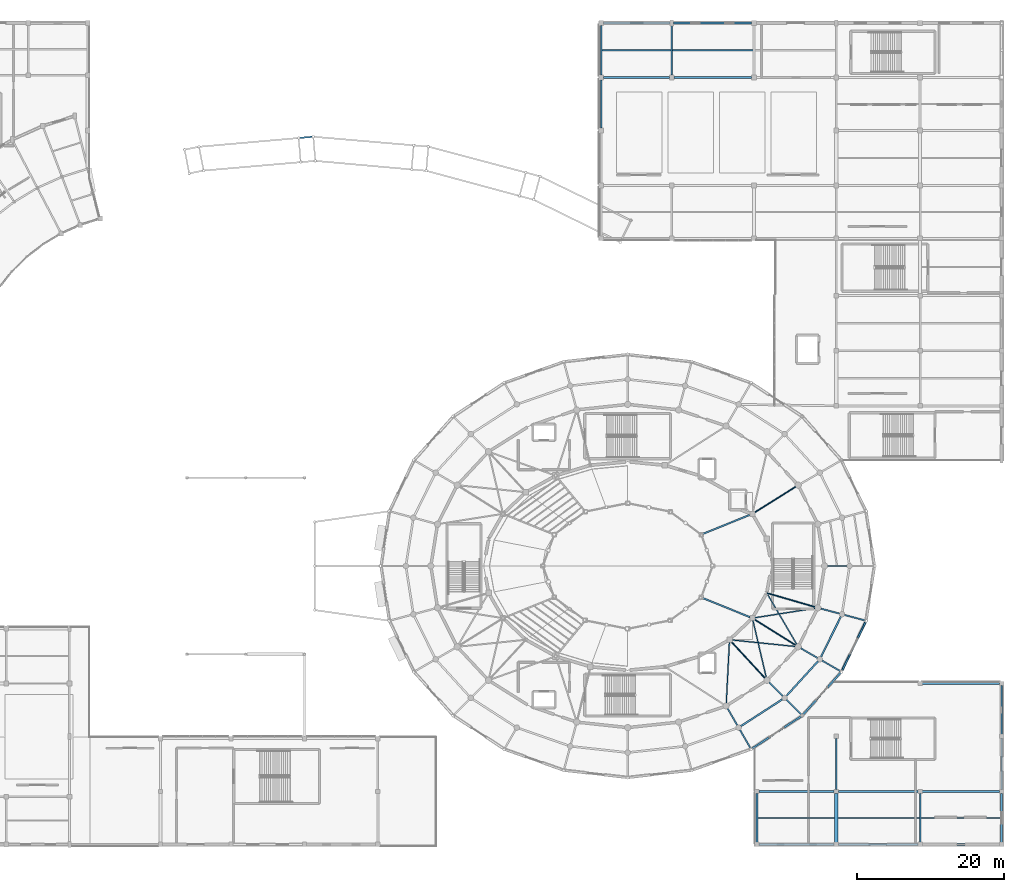
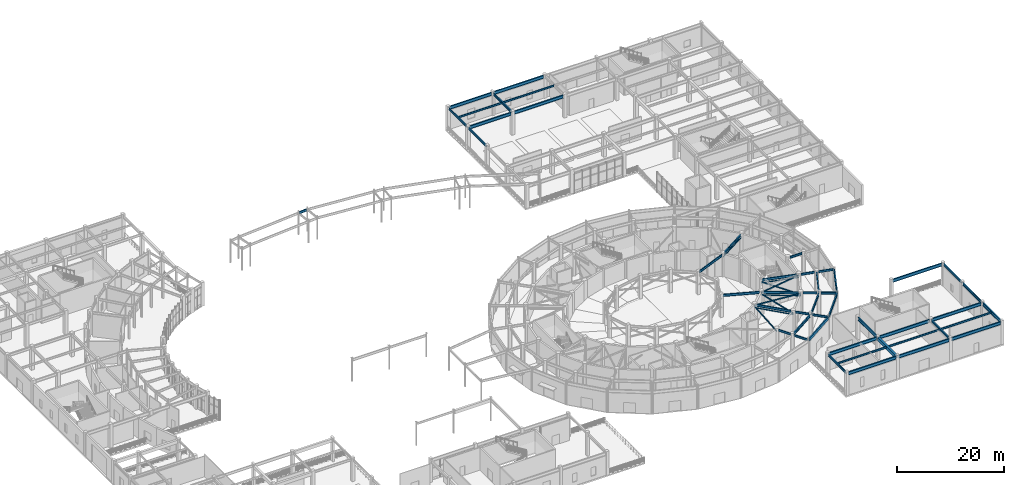
# One storey, part 34 of 93: 48 beams, 9 members.
"""IFC4 building model written with IfcOpenShell, lengths in metres."""

from ifc_helpers import new_model, si_unit, direction, frame, origin, origin_2d, place, context, subcontext, project, spatial, rectangle, hollow_rectangle, i_section, extrude, material, material_profile, profile_set, type_object, element, save


model = new_model("IFC4")

# Units and contexts
model_context = context("Model", 3, precision=1e-05, world=origin(), true_north=direction((0.0, 1.0)))
body_context = subcontext(model_context, "Body", "Model", "MODEL_VIEW")
ifc_project = project(units=[si_unit("LENGTHUNIT", "METRE"), si_unit("AREAUNIT", "SQUARE_METRE"), si_unit("VOLUMEUNIT", "CUBIC_METRE"), si_unit("PLANEANGLEUNIT", "RADIAN"), si_unit("MASSUNIT", "GRAM", prefix="KILO")], contexts=[model_context])

# Site, building, storey
site_placement = place(None, origin())
site = spatial("IfcSite", under=ifc_project, at=site_placement, CompositionType="ELEMENT")
building_placement = place(site_placement, origin())
building = spatial("IfcBuilding", under=site, at=building_placement, Name="Cinderbank Siding Concert Hall", CompositionType="ELEMENT")
storey_placement = place(building_placement, origin())
storey = spatial("IfcBuildingStorey", under=building, at=storey_placement, Name="L01", CompositionType="ELEMENT", Elevation=0.0)

# Beams
ifc_material_1 = material(Name="Reinforced concrete AS 3600 N50 (50 MPa)", Category="concrete")
ifc_material_profile_1 = material_profile(ifc_material_1, rectangle(XDim=0.449951171875, YDim=0.75, at=origin_2d()), Name="RC-BM-450x750", Category="LoadBearing")
ifc_profile_set_1 = profile_set([ifc_material_profile_1], Name="Reinforced concrete AS 3600 N50 (50 MPa)")
beam_type_1 = type_object("IfcBeamType", Name="BM-RC750 RC-BM-450x750", PredefinedType="BEAM", material=ifc_profile_set_1)
beam_1_placement = place(storey_placement, frame((150.39990234375, 6.39208984375, 4.76708984375), z_axis=(0.0, 1.0, 0.0), x_axis=(-1.0, 0.0, 0.0)))
element("IfcBeam", 1, at=beam_1_placement, inside=storey, type_object=beam_type_1, Name="L01 Beam BM-RC750 #1385", PredefinedType="BEAM", context=body_context, shape_type="SweptSolid", body=[
    extrude(rectangle(XDim=0.449951171875, YDim=0.75, at=origin_2d()), origin(), (0.0, 0.0, 1.0), 6.615966796875),
])
ifc_material_2 = material(Name="Structural steel AS/NZS 3679.1 Grade 350 (340 MPa)", Category="steel")
ifc_material_profile_2 = material_profile(ifc_material_2, i_section(OverallWidth=0.18994140625, OverallDepth=0.45751953125, WebThickness=0.009033203125, FlangeThickness=0.014404296875, at=origin_2d()), Name="460UB74.6", Category="LoadBearing")
ifc_profile_set_2 = profile_set([ifc_material_profile_2], Name="Structural steel AS/NZS 3679.1 Grade 350 (340 MPa)")
beam_type_2 = type_object("IfcBeamType", Name="BM-UB460 460UB74.6", PredefinedType="BEAM", material=ifc_profile_set_2)
beam_2_placement = place(storey_placement, frame((118.39990234375, 110.81689453125, 4.893310546875), z_axis=(0.0, 1.0, 0.0), x_axis=(-1.0, 0.0, 0.0)))
element("IfcBeam", 2, at=beam_2_placement, inside=storey, type_object=beam_type_2, Name="L01 Beam BM-UB460 #1320", PredefinedType="BEAM", context=body_context, shape_type="SweptSolid", body=[
    extrude(i_section(OverallWidth=0.18994140625, OverallDepth=0.45751953125, WebThickness=0.009033203125, FlangeThickness=0.014404296875, at=origin_2d()), origin(), (0.0, 0.0, 1.0), 6.76611328125),
])
ifc_material_profile_3 = material_profile(ifc_material_2, i_section(OverallWidth=0.19091796875, OverallDepth=0.46044921875, WebThickness=0.010009765625, FlangeThickness=0.01611328125, at=origin_2d()), Name="460UB82.1", Category="LoadBearing")
ifc_profile_set_3 = profile_set([ifc_material_profile_3], Name="Structural steel AS/NZS 3679.1 Grade 350 (340 MPa)")
beam_type_3 = type_object("IfcBeamType", Name="BM-UB460H 460UB82.1", PredefinedType="BEAM", material=ifc_profile_set_3)
for number, where, z_axis, x_axis, name in (
    (3, (149.217041015625, 44.0, 4.891845703125), (1.0, 0.0, 0.0), (0.0, 1.0, 0.0), "L01 Beam BM-UB460H #392"),
    (4, (135.6083984375, 24.586181640625, 4.891845703125), (0.500053675867, -0.86599441179, 0.0), (0.86599441179, 0.500053675867, 0.0), "L01 Beam BM-UB460H #411"),
    (5, (141.245361328125, 28.148681640625, 4.891845703125), (0.707153444121, -0.707060115172, 0.0), (0.707060115172, 0.707153444121, 0.0), "L01 Beam BM-UB460H #412"),
):
    element("IfcBeam", number, at=place(storey_placement, frame(where, z_axis=z_axis, x_axis=x_axis)), inside=storey, type_object=beam_type_3, Name=name, PredefinedType="BEAM", context=body_context, shape_type="SweptSolid", body=[
        extrude(i_section(OverallWidth=0.19091796875, OverallDepth=0.46044921875, WebThickness=0.010009765625, FlangeThickness=0.01611328125, at=origin_2d()), origin(), (0.0, 0.0, 1.0), 2.615966796875),
    ])
beam_3_placement = place(storey_placement, frame((145.570556640625, 32.79150390625, 4.891845703125), z_axis=(0.866017746076, -0.500013263306, 0.0), x_axis=(0.500013263306, 0.866017746076, 0.0)))
element("IfcBeam", 6, at=beam_3_placement, inside=storey, type_object=beam_type_3, Name="L01 Beam BM-UB460H #413", PredefinedType="BEAM", context=body_context, shape_type="SweptSolid", body=[
    extrude(i_section(OverallWidth=0.19091796875, OverallDepth=0.46044921875, WebThickness=0.010009765625, FlangeThickness=0.01611328125, at=origin_2d()), origin(), (0.0, 0.0, 1.0), 2.6162109375),
])
beam_4_placement = place(storey_placement, frame((148.28955078125, 38.197998046875, 4.891845703125), z_axis=(0.965932222184, -0.258795174118, 0.0), x_axis=(0.258795174118, 0.965932222184, 0.0)))
element("IfcBeam", 7, at=beam_4_placement, inside=storey, type_object=beam_type_3, Name="L01 Beam BM-UB460H #414", PredefinedType="BEAM", context=body_context, shape_type="SweptSolid", body=[
    extrude(i_section(OverallWidth=0.19091796875, OverallDepth=0.46044921875, WebThickness=0.010009765625, FlangeThickness=0.01611328125, at=origin_2d()), origin(), (0.0, 0.0, 1.0), 2.615966796875),
])
beam_5_placement = place(storey_placement, frame((137.283447265625, 21.685302734375, 4.871826171875), z_axis=(0.499988053408, -0.866032301043, 0.0), x_axis=(0.866032301043, 0.499988053408, 0.0)))
element("IfcBeam", 8, at=beam_5_placement, inside=storey, type_object=beam_type_3, Name="L01 Beam BM-UB460H #436", PredefinedType="BEAM", context=body_context, shape_type="SweptSolid", body=[
    extrude(i_section(OverallWidth=0.19091796875, OverallDepth=0.46044921875, WebThickness=0.010009765625, FlangeThickness=0.01611328125, at=origin_2d()), origin(), (0.0, 0.0, 1.0), 2.837890625),
])
beam_6_placement = place(storey_placement, frame((143.614013671875, 25.780029296875, 4.871826171875), z_axis=(0.707106781187, -0.707106781187, 0.0), x_axis=(0.707106781187, 0.707106781187, 0.0)))
element("IfcBeam", 9, at=beam_6_placement, inside=storey, type_object=beam_type_3, Name="L01 Beam BM-UB460H #437", PredefinedType="BEAM", context=body_context, shape_type="SweptSolid", body=[
    extrude(i_section(OverallWidth=0.19091796875, OverallDepth=0.46044921875, WebThickness=0.010009765625, FlangeThickness=0.01611328125, at=origin_2d()), origin(), (0.0, 0.0, 1.0), 2.838134765625),
])
for number, where, z_axis, x_axis, name in (
    (10, (148.4716796875, 31.116455078125, 4.871826171875), (0.866032301043, -0.499988053408, 0.0), (0.499988053408, 0.866032301043, 0.0), "L01 Beam BM-UB460H #438"),
    (11, (151.525390625, 37.3310546875, 4.871826171875), (0.965915793318, -0.258856485758, 0.0), (0.258856485758, 0.965915793318, 0.0), "L01 Beam BM-UB460H #439"),
):
    element("IfcBeam", number, at=place(storey_placement, frame(where, z_axis=z_axis, x_axis=x_axis)), inside=storey, type_object=beam_type_3, Name=name, PredefinedType="BEAM", context=body_context, shape_type="SweptSolid", body=[
        extrude(i_section(OverallWidth=0.19091796875, OverallDepth=0.46044921875, WebThickness=0.010009765625, FlangeThickness=0.01611328125, at=origin_2d()), origin(), (0.0, 0.0, 1.0), 2.837890625),
    ])
ifc_material_profile_4 = material_profile(ifc_material_2, i_section(OverallWidth=0.208984375, OverallDepth=0.5283203125, WebThickness=0.009521484375, FlangeThickness=0.01318359375, at=origin_2d()), Name="530UB82.0", Category="LoadBearing")
ifc_profile_set_4 = profile_set([ifc_material_profile_4], Name="Structural steel AS/NZS 3679.1 Grade 350 (340 MPa)")
beam_type_4 = type_object("IfcBeamType", Name="BM-UB530 530UB82.0", PredefinedType="BEAM", material=ifc_profile_set_4)
beam_7_placement = place(storey_placement, frame((77.3544921875, 102.2744140625, 4.8359375), z_axis=(0.996159508909, 0.087557026051, 0.0), x_axis=(-0.087557026051, 0.996159508909, 0.0)))
element("IfcBeam", 12, at=beam_7_placement, inside=storey, type_object=beam_type_4, Name="L01 Beam BM-UB530 #69", PredefinedType="BEAM", context=body_context, shape_type="SweptSolid", body=[
    extrude(i_section(OverallWidth=0.208984375, OverallDepth=0.5283203125, WebThickness=0.009521484375, FlangeThickness=0.01318359375, at=origin_2d()), origin(), (0.0, 0.0, 1.0), 1.692626953125),
])
for number, where, z_axis, x_axis, name in (
    (13, (132.273193359375, 48.384765625, 4.85791015625), (0.926795292683, 0.37556688547, 0.0), (-0.37556688547, 0.926795292683, 0.0), "L01 Beam BM-UB530 #150"),
    (14, (132.273193359375, 39.615234375, 4.85791015625), (0.926795292683, -0.37556688547, 0.0), (0.37556688547, 0.926795292683, 0.0), "L01 Beam BM-UB530 #161"),
):
    element("IfcBeam", number, at=place(storey_placement, frame(where, z_axis=z_axis, x_axis=x_axis)), inside=storey, type_object=beam_type_4, Name=name, PredefinedType="BEAM", context=body_context, shape_type="SweptSolid", body=[
        extrude(i_section(OverallWidth=0.208984375, OverallDepth=0.5283203125, WebThickness=0.009521484375, FlangeThickness=0.01318359375, at=origin_2d()), origin(), (0.0, 0.0, 1.0), 6.887939453125),
    ])
beam_8_placement = place(storey_placement, frame((118.39990234375, 103.616943359375, 4.85791015625), z_axis=(0.0, 1.0, 0.0), x_axis=(-1.0, 0.0, 0.0)))
element("IfcBeam", 15, at=beam_8_placement, inside=storey, type_object=beam_type_4, Name="L01 Beam BM-UB530 #1318", PredefinedType="BEAM", context=body_context, shape_type="SweptSolid", body=[
    extrude(i_section(OverallWidth=0.208984375, OverallDepth=0.5283203125, WebThickness=0.009521484375, FlangeThickness=0.01318359375, at=origin_2d()), origin(), (0.0, 0.0, 1.0), 6.566162109375),
])
beam_9_placement = place(storey_placement, frame((128.0, 110.81689453125, 4.85791015625), z_axis=(0.0, 1.0, 0.0), x_axis=(-1.0, 0.0, 0.0)))
element("IfcBeam", 16, at=beam_9_placement, inside=storey, type_object=beam_type_4, Name="L01 Beam BM-UB530 #1326", PredefinedType="BEAM", context=body_context, shape_type="SweptSolid", body=[
    extrude(i_section(OverallWidth=0.208984375, OverallDepth=0.5283203125, WebThickness=0.009521484375, FlangeThickness=0.01318359375, at=origin_2d()), origin(), (0.0, 0.0, 1.0), 6.8662109375),
])
for number, where, z_axis, x_axis, name in (
    (17, (139.60009765625, 6.39208984375, 4.8779296875), (0.0, 1.0, 0.0), (-1.0, 0.0, 0.0), "L01 Beam BM-UB530 #1382"),
    (18, (161.800048828125, 6.39208984375, 4.8779296875), (0.0, 1.0, 0.0), (-1.0, 0.0, 0.0), "L01 Beam BM-UB530 #1389"),
    (19, (172.89990234375, 21.092041015625, 4.8779296875), (0.0, 1.0, 0.0), (-1.0, 0.0, 0.0), "L01 Beam BM-UB530 #1394"),
):
    element("IfcBeam", number, at=place(storey_placement, frame(where, z_axis=z_axis, x_axis=x_axis)), inside=storey, type_object=beam_type_4, Name=name, PredefinedType="BEAM", context=body_context, shape_type="SweptSolid", body=[
        extrude(i_section(OverallWidth=0.208984375, OverallDepth=0.5283203125, WebThickness=0.009521484375, FlangeThickness=0.01318359375, at=origin_2d()), origin(), (0.0, 0.0, 1.0), 6.615966796875),
    ])
ifc_material_profile_5 = material_profile(ifc_material_2, i_section(OverallWidth=0.208984375, OverallDepth=0.532958984375, WebThickness=0.01025390625, FlangeThickness=0.015625, at=origin_2d()), Name="530UB92.4", Category="LoadBearing")
ifc_profile_set_5 = profile_set([ifc_material_profile_5], Name="Structural steel AS/NZS 3679.1 Grade 350 (340 MPa)")
beam_type_5 = type_object("IfcBeamType", Name="BM-UB530H 530UB92.4", PredefinedType="BEAM", material=ifc_profile_set_5)
beam_10_placement = place(storey_placement, frame((139.26416015625, 51.281494140625, 4.87548828125), z_axis=(0.847831894761, 0.530265101836, 0.0), x_axis=(-0.530265101836, 0.847831894761, 0.0)))
element("IfcBeam", 20, at=beam_10_placement, inside=storey, type_object=beam_type_5, Name="L01 Beam BM-UB530H #381", PredefinedType="BEAM", context=body_context, shape_type="SweptSolid", body=[
    extrude(i_section(OverallWidth=0.208984375, OverallDepth=0.532958984375, WebThickness=0.01025390625, FlangeThickness=0.015625, at=origin_2d()), origin(), (0.0, 0.0, 1.0), 6.595458984375),
])
beam_11_placement = place(storey_placement, frame((136.108154296875, 33.689453125, 4.87548828125), z_axis=(0.678286136471, -0.734797874977, 0.0), x_axis=(0.734797874977, 0.678286136471, 0.0)))
element("IfcBeam", 21, at=beam_11_placement, inside=storey, type_object=beam_type_5, Name="L01 Beam BM-UB530H #389", PredefinedType="BEAM", context=body_context, shape_type="SweptSolid", body=[
    extrude(i_section(OverallWidth=0.208984375, OverallDepth=0.532958984375, WebThickness=0.01025390625, FlangeThickness=0.015625, at=origin_2d()), origin(), (0.0, 0.0, 1.0), 6.72216796875),
])
beam_12_placement = place(storey_placement, frame((139.26416015625, 36.718505859375, 4.87548828125), z_axis=(0.847831894761, -0.530265101836, 0.0), x_axis=(0.530265101836, 0.847831894761, 0.0)))
element("IfcBeam", 22, at=beam_12_placement, inside=storey, type_object=beam_type_5, Name="L01 Beam BM-UB530H #390", PredefinedType="BEAM", context=body_context, shape_type="SweptSolid", body=[
    extrude(i_section(OverallWidth=0.208984375, OverallDepth=0.532958984375, WebThickness=0.01025390625, FlangeThickness=0.015625, at=origin_2d()), origin(), (0.0, 0.0, 1.0), 6.595458984375),
])
beam_13_placement = place(storey_placement, frame((141.116455078125, 40.271240234375, 4.87548828125), z_axis=(0.96035417432, -0.278782818455, 0.0), x_axis=(0.278782818455, 0.96035417432, 0.0)))
element("IfcBeam", 23, at=beam_13_placement, inside=storey, type_object=beam_type_5, Name="L01 Beam BM-UB530H #391", PredefinedType="BEAM", context=body_context, shape_type="SweptSolid", body=[
    extrude(i_section(OverallWidth=0.208984375, OverallDepth=0.532958984375, WebThickness=0.01025390625, FlangeThickness=0.015625, at=origin_2d()), origin(), (0.0, 0.0, 1.0), 6.6328125),
])
ifc_material_profile_6 = material_profile(ifc_material_2, i_section(OverallWidth=0.22802734375, OverallDepth=0.602294921875, WebThickness=0.010498046875, FlangeThickness=0.014892578125, at=origin_2d()), Name="610UB101", Category="LoadBearing")
ifc_profile_set_6 = profile_set([ifc_material_profile_6], Name="Structural steel AS/NZS 3679.1 Grade 350 (340 MPa)")
beam_type_6 = type_object("IfcBeamType", Name="BM-UB610 610UB101", PredefinedType="BEAM", material=ifc_profile_set_6)
beam_14_placement = place(storey_placement, frame((172.89990234375, 13.592041015625, 4.8408203125), z_axis=(0.0, 1.0, 0.0), x_axis=(-1.0, 0.0, 0.0)))
element("IfcBeam", 24, at=beam_14_placement, inside=storey, type_object=beam_type_6, Name="L01 Beam BM-UB610 #1393", PredefinedType="BEAM", context=body_context, shape_type="SweptSolid", body=[
    extrude(i_section(OverallWidth=0.22802734375, OverallDepth=0.602294921875, WebThickness=0.010498046875, FlangeThickness=0.014892578125, at=origin_2d()), origin(), (0.0, 0.0, 1.0), 6.916015625),
])
ifc_material_profile_7 = material_profile(ifc_material_2, i_section(OverallWidth=0.22802734375, OverallDepth=0.60693359375, WebThickness=0.01123046875, FlangeThickness=0.017333984375, at=origin_2d()), Name="610UB113", Category="LoadBearing")
ifc_profile_set_7 = profile_set([ifc_material_profile_7], Name="Structural steel AS/NZS 3679.1 Grade 350 (340 MPa)")
beam_type_7 = type_object("IfcBeamType", Name="BM-UB610M 610UB113", PredefinedType="BEAM", material=ifc_profile_set_7)
beam_15_placement = place(storey_placement, frame((137.408447265625, 22.201904296875, 4.798583984375), z_axis=(0.840198253685, 0.542279350984, 0.0), x_axis=(-0.542279350984, 0.840198253685, 0.0)))
element("IfcBeam", 25, at=beam_15_placement, inside=storey, type_object=beam_type_7, Name="L01 Beam BM-UB610M #353", PredefinedType="BEAM", context=body_context, shape_type="SweptSolid", body=[
    extrude(i_section(OverallWidth=0.22802734375, OverallDepth=0.60693359375, WebThickness=0.01123046875, FlangeThickness=0.017333984375, at=origin_2d()), origin(), (0.0, 0.0, 1.0), 6.7099609375),
])
beam_16_placement = place(storey_placement, frame((143.60205078125, 26.310546875, 4.798583984375), z_axis=(0.673967477755, 0.738761016113, 0.0), x_axis=(-0.738761016113, 0.673967477755, 0.0)))
element("IfcBeam", 26, at=beam_16_placement, inside=storey, type_object=beam_type_7, Name="L01 Beam BM-UB610M #354", PredefinedType="BEAM", context=body_context, shape_type="SweptSolid", body=[
    extrude(i_section(OverallWidth=0.22802734375, OverallDepth=0.60693359375, WebThickness=0.01123046875, FlangeThickness=0.017333984375, at=origin_2d()), origin(), (0.0, 0.0, 1.0), 6.38671875),
])
beam_17_placement = place(storey_placement, frame((148.316162109375, 31.629150390625, 4.798583984375), z_axis=(0.441805555106, 0.89711083567, 0.0), x_axis=(-0.89711083567, 0.441805555106, 0.0)))
element("IfcBeam", 27, at=beam_17_placement, inside=storey, type_object=beam_type_7, Name="L01 Beam BM-UB610M #355", PredefinedType="BEAM", context=body_context, shape_type="SweptSolid", body=[
    extrude(i_section(OverallWidth=0.22802734375, OverallDepth=0.60693359375, WebThickness=0.01123046875, FlangeThickness=0.017333984375, at=origin_2d()), origin(), (0.0, 0.0, 1.0), 6.094482421875),
])
ifc_material_3 = material(Name="Structural steel welded plate section AS/NZS 3679.2 / AS/NZS 3678 Grade 350 (340 MPa)", Category="steel")
ifc_material_profile_8 = material_profile(ifc_material_3, i_section(OverallWidth=0.25, OverallDepth=0.699951171875, WebThickness=0.010009765625, FlangeThickness=0.01611328125, at=origin_2d()), Name="700WB130", Category="LoadBearing")
ifc_profile_set_8 = profile_set([ifc_material_profile_8], Name="Structural steel welded plate section AS/NZS 3679.2 / AS/NZS 3678 Grade 350 (340 MPa)")
beam_type_8 = type_object("IfcBeamType", Name="BM-WB700 700WB130", PredefinedType="BEAM", material=ifc_profile_set_8)
beam_18_placement = place(storey_placement, frame((118.717041015625, 110.5, 4.77197265625), z_axis=(1.0, 0.0, 0.0), x_axis=(0.0, 1.0, 0.0)))
element("IfcBeam", 28, at=beam_18_placement, inside=storey, type_object=beam_type_8, Name="L01 Beam BM-WB700 #1319", PredefinedType="BEAM", context=body_context, shape_type="SweptSolid", body=[
    extrude(i_section(OverallWidth=0.25, OverallDepth=0.699951171875, WebThickness=0.010009765625, FlangeThickness=0.01611328125, at=origin_2d()), origin(), (0.0, 0.0, 1.0), 8.966064453125),
])
beam_19_placement = place(storey_placement, frame((118.717041015625, 117.89990234375, 4.77197265625), z_axis=(1.0, 0.0, 0.0), x_axis=(0.0, 1.0, 0.0)))
element("IfcBeam", 29, at=beam_19_placement, inside=storey, type_object=beam_type_8, Name="L01 Beam BM-WB700 #1321", PredefinedType="BEAM", context=body_context, shape_type="SweptSolid", body=[
    extrude(i_section(OverallWidth=0.25, OverallDepth=0.699951171875, WebThickness=0.010009765625, FlangeThickness=0.01611328125, at=origin_2d()), origin(), (0.0, 0.0, 1.0), 9.06591796875),
])
beam_20_placement = place(storey_placement, frame((128.31689453125, 110.5, 4.77197265625), z_axis=(1.0, 0.0, 0.0), x_axis=(0.0, 1.0, 0.0)))
element("IfcBeam", 30, at=beam_20_placement, inside=storey, type_object=beam_type_8, Name="L01 Beam BM-WB700 #1325", PredefinedType="BEAM", context=body_context, shape_type="SweptSolid", body=[
    extrude(i_section(OverallWidth=0.25, OverallDepth=0.699951171875, WebThickness=0.010009765625, FlangeThickness=0.01611328125, at=origin_2d()), origin(), (0.0, 0.0, 1.0), 10.566162109375),
])
beam_21_placement = place(storey_placement, frame((128.217041015625, 117.89990234375, 4.77197265625), z_axis=(1.0, 0.0, 0.0), x_axis=(0.0, 1.0, 0.0)))
element("IfcBeam", 31, at=beam_21_placement, inside=storey, type_object=beam_type_8, Name="L01 Beam BM-WB700 #1327", PredefinedType="BEAM", context=body_context, shape_type="SweptSolid", body=[
    extrude(i_section(OverallWidth=0.25, OverallDepth=0.699951171875, WebThickness=0.010009765625, FlangeThickness=0.01611328125, at=origin_2d()), origin(), (0.0, 0.0, 1.0), 10.666015625),
])
for number, where, z_axis, x_axis, name in (
    (32, (139.89208984375, 6.10009765625, 4.7919921875), (1.0, 0.0, 0.0), (0.0, 1.0, 0.0), "L01 Beam BM-WB700 #1381"),
    (33, (139.89208984375, 13.300048828125, 4.7919921875), (1.0, 0.0, 0.0), (0.0, 1.0, 0.0), "L01 Beam BM-WB700 #1383"),
):
    element("IfcBeam", number, at=place(storey_placement, frame(where, z_axis=z_axis, x_axis=x_axis)), inside=storey, type_object=beam_type_8, Name=name, PredefinedType="BEAM", context=body_context, shape_type="SweptSolid", body=[
        extrude(i_section(OverallWidth=0.25, OverallDepth=0.699951171875, WebThickness=0.010009765625, FlangeThickness=0.01611328125, at=origin_2d()), origin(), (0.0, 0.0, 1.0), 10.2158203125),
    ])
for number, where, z_axis, x_axis, name in (
    (34, (150.69189453125, 6.10009765625, 4.7919921875), (1.0, 0.0, 0.0), (0.0, 1.0, 0.0), "L01 Beam BM-WB700 #1384"),
    (35, (150.69189453125, 13.300048828125, 4.7919921875), (1.0, 0.0, 0.0), (0.0, 1.0, 0.0), "L01 Beam BM-WB700 #1386"),
):
    element("IfcBeam", number, at=place(storey_placement, frame(where, z_axis=z_axis, x_axis=x_axis)), inside=storey, type_object=beam_type_8, Name=name, PredefinedType="BEAM", context=body_context, shape_type="SweptSolid", body=[
        extrude(i_section(OverallWidth=0.25, OverallDepth=0.699951171875, WebThickness=0.010009765625, FlangeThickness=0.01611328125, at=origin_2d()), origin(), (0.0, 0.0, 1.0), 10.816162109375),
    ])
beam_22_placement = place(storey_placement, frame((150.39990234375, 13.592041015625, 4.7919921875), z_axis=(0.0, 1.0, 0.0), x_axis=(-1.0, 0.0, 0.0)))
element("IfcBeam", 36, at=beam_22_placement, inside=storey, type_object=beam_type_8, Name="L01 Beam BM-WB700 #1387", PredefinedType="BEAM", context=body_context, shape_type="SweptSolid", body=[
    extrude(i_section(OverallWidth=0.25, OverallDepth=0.699951171875, WebThickness=0.010009765625, FlangeThickness=0.01611328125, at=origin_2d()), origin(), (0.0, 0.0, 1.0), 6.916015625),
])
for number, where, z_axis, x_axis, name in (
    (37, (162.092041015625, 6.10009765625, 4.7919921875), (1.0, 0.0, 0.0), (0.0, 1.0, 0.0), "L01 Beam BM-WB700 #1388"),
    (38, (162.092041015625, 13.300048828125, 4.7919921875), (1.0, 0.0, 0.0), (0.0, 1.0, 0.0), "L01 Beam BM-WB700 #1390"),
    (39, (162.092041015625, 28.0, 4.7919921875), (1.0, 0.0, 0.0), (0.0, 1.0, 0.0), "L01 Beam BM-WB700 #1391"),
):
    element("IfcBeam", number, at=place(storey_placement, frame(where, z_axis=z_axis, x_axis=x_axis)), inside=storey, type_object=beam_type_8, Name=name, PredefinedType="BEAM", context=body_context, shape_type="SweptSolid", body=[
        extrude(i_section(OverallWidth=0.25, OverallDepth=0.699951171875, WebThickness=0.010009765625, FlangeThickness=0.01611328125, at=origin_2d()), origin(), (0.0, 0.0, 1.0), 10.515869140625),
    ])
beam_23_placement = place(storey_placement, frame((172.89990234375, 6.39208984375, 4.7919921875), z_axis=(0.0, 1.0, 0.0), x_axis=(-1.0, 0.0, 0.0)))
element("IfcBeam", 40, at=beam_23_placement, inside=storey, type_object=beam_type_8, Name="L01 Beam BM-WB700 #1392", PredefinedType="BEAM", context=body_context, shape_type="SweptSolid", body=[
    extrude(i_section(OverallWidth=0.25, OverallDepth=0.699951171875, WebThickness=0.010009765625, FlangeThickness=0.01611328125, at=origin_2d()), origin(), (0.0, 0.0, 1.0), 6.615966796875),
])
ifc_material_profile_9 = material_profile(ifc_material_2, i_section(OverallWidth=0.177978515625, OverallDepth=0.402587890625, WebThickness=0.007568359375, FlangeThickness=0.010986328125, at=origin_2d()), Name="410UB53.7", Category="LoadBearing")
ifc_profile_set_9 = profile_set([ifc_material_profile_9], Name="Structural steel AS/NZS 3679.1 Grade 350 (340 MPa)")
beam_type_9 = type_object("IfcBeamType", Name="JS-UB410 410UB53.7", PredefinedType="JOIST", material=ifc_profile_set_9)
beam_24_placement = place(storey_placement, frame((118.487060546875, 114.199951171875, 4.920654296875), z_axis=(1.0, 0.0, 0.0), x_axis=(0.0, 1.0, 0.0)))
element("IfcBeam", 41, at=beam_24_placement, inside=storey, type_object=beam_type_9, Name="L01 Beam JS-UB410 #1455", PredefinedType="JOIST", context=body_context, shape_type="SweptSolid", body=[
    extrude(i_section(OverallWidth=0.177978515625, OverallDepth=0.402587890625, WebThickness=0.007568359375, FlangeThickness=0.010986328125, at=origin_2d()), origin(), (0.0, 0.0, 1.0), 9.41650390625),
])
beam_25_placement = place(storey_placement, frame((128.096435546875, 114.199951171875, 4.920654296875), z_axis=(1.0, 0.0, 0.0), x_axis=(0.0, 1.0, 0.0)))
element("IfcBeam", 42, at=beam_25_placement, inside=storey, type_object=beam_type_9, Name="L01 Beam JS-UB410 #1457", PredefinedType="JOIST", context=body_context, shape_type="SweptSolid", body=[
    extrude(i_section(OverallWidth=0.177978515625, OverallDepth=0.402587890625, WebThickness=0.007568359375, FlangeThickness=0.010986328125, at=origin_2d()), origin(), (0.0, 0.0, 1.0), 10.99755859375),
])
beam_26_placement = place(storey_placement, frame((139.696533203125, 9.699951171875, 4.940673828125), z_axis=(1.0, 0.0, 0.0), x_axis=(0.0, 1.0, 0.0)))
element("IfcBeam", 43, at=beam_26_placement, inside=storey, type_object=beam_type_9, Name="L01 Beam JS-UB410 #1475", PredefinedType="JOIST", context=body_context, shape_type="SweptSolid", body=[
    extrude(i_section(OverallWidth=0.177978515625, OverallDepth=0.402587890625, WebThickness=0.007568359375, FlangeThickness=0.010986328125, at=origin_2d()), origin(), (0.0, 0.0, 1.0), 10.486572265625),
])
beam_27_placement = place(storey_placement, frame((150.616943359375, 9.699951171875, 4.940673828125), z_axis=(1.0, 0.0, 0.0), x_axis=(0.0, 1.0, 0.0)))
element("IfcBeam", 44, at=beam_27_placement, inside=storey, type_object=beam_type_9, Name="L01 Beam JS-UB410 #1476", PredefinedType="JOIST", context=body_context, shape_type="SweptSolid", body=[
    extrude(i_section(OverallWidth=0.177978515625, OverallDepth=0.402587890625, WebThickness=0.007568359375, FlangeThickness=0.010986328125, at=origin_2d()), origin(), (0.0, 0.0, 1.0), 11.086669921875),
])
beam_28_placement = place(storey_placement, frame((161.896484375, 9.699951171875, 4.940673828125), z_axis=(1.0, 0.0, 0.0), x_axis=(0.0, 1.0, 0.0)))
element("IfcBeam", 45, at=beam_28_placement, inside=storey, type_object=beam_type_9, Name="L01 Beam JS-UB410 #1477", PredefinedType="JOIST", context=body_context, shape_type="SweptSolid", body=[
    extrude(i_section(OverallWidth=0.177978515625, OverallDepth=0.402587890625, WebThickness=0.007568359375, FlangeThickness=0.010986328125, at=origin_2d()), origin(), (0.0, 0.0, 1.0), 10.886474609375),
])

# Members
ifc_material_4 = material(Name="Structural steel hollow section AS/NZS 1163 Grade C350L0 (350 MPa)", Category="steel")
ifc_material_profile_10 = material_profile(ifc_material_4, hollow_rectangle(XDim=0.10009765625, YDim=0.199951171875, WallThickness=0.008056640625, at=origin_2d()), Name="200x100x8.0RHS", Category="LoadBearing")
ifc_profile_set_10 = profile_set([ifc_material_profile_10], Name="Structural steel hollow section AS/NZS 1163 Grade C350L0 (350 MPa)")
member_type_1 = type_object("IfcMemberType", Name="PR-RHS200 200x100x8.0RHS Roof Truss", PredefinedType="PURLIN", material=ifc_profile_set_10)
member_1_placement = place(storey_placement, frame((138.97412109375, 51.10009765625, 4.239990234375), z_axis=(0.847826684568, 0.530273432235, 0.0), x_axis=(-0.530273432235, 0.847826684568, 0.0)))
element("IfcMember", 46, at=member_1_placement, inside=storey, type_object=member_type_1, Name="L01 Roof Truss Member PR-RHS200 #2181", PredefinedType="PURLIN", context=body_context, shape_type="SweptSolid", body=[
    extrude(hollow_rectangle(XDim=0.10009765625, YDim=0.199951171875, WallThickness=0.008056640625, at=origin_2d()), origin(), (0.0, 0.0, 1.0), 7.3544921875),
])
member_2_placement = place(storey_placement, frame((135.859375, 33.958984375, 4.239990234375), z_axis=(0.678276049894, -0.734807185689, 0.0), x_axis=(0.734807185689, 0.678276049894, 0.0)))
element("IfcMember", 47, at=member_2_placement, inside=storey, type_object=member_type_1, Name="L01 Roof Truss Member PR-RHS200 #2205", PredefinedType="PURLIN", context=body_context, shape_type="SweptSolid", body=[
    extrude(hollow_rectangle(XDim=0.10009765625, YDim=0.199951171875, WallThickness=0.008056640625, at=origin_2d()), origin(), (0.0, 0.0, 1.0), 7.505859375),
])
member_3_placement = place(storey_placement, frame((138.97412109375, 36.89990234375, 4.239990234375), z_axis=(0.847826684568, -0.530273432235, 0.0), x_axis=(0.530273432235, 0.847826684568, 0.0)))
element("IfcMember", 48, at=member_3_placement, inside=storey, type_object=member_type_1, Name="L01 Roof Truss Member PR-RHS200 #2208", PredefinedType="PURLIN", context=body_context, shape_type="SweptSolid", body=[
    extrude(hollow_rectangle(XDim=0.10009765625, YDim=0.199951171875, WallThickness=0.008056640625, at=origin_2d()), origin(), (0.0, 0.0, 1.0), 7.3544921875),
])
member_4_placement = place(storey_placement, frame((140.93212890625, 40.32470703125, 4.239990234375), z_axis=(0.960356417746, -0.278775090161, 0.0), x_axis=(0.278775090161, 0.960356417746, 0.0)))
element("IfcMember", 49, at=member_4_placement, inside=storey, type_object=member_type_1, Name="L01 Roof Truss Member PR-RHS200 #2209", PredefinedType="PURLIN", context=body_context, shape_type="SweptSolid", body=[
    extrude(hollow_rectangle(XDim=0.10009765625, YDim=0.199951171875, WallThickness=0.008056640625, at=origin_2d()), origin(), (0.0, 0.0, 1.0), 7.24169921875),
])

# Beams
ifc_material_5 = material(Name="Spotted gum glulam timber GL18 (42 MPa)", Category="wood")
ifc_material_profile_11 = material_profile(ifc_material_5, rectangle(XDim=0.239990234375, YDim=0.60009765625, at=origin_2d()), Name="GL18-240x600", Category="LoadBearing")
ifc_profile_set_11 = profile_set([ifc_material_profile_11], Name="Spotted gum glulam timber GL18 (42 MPa)")
beam_type_10 = type_object("IfcBeamType", Name="SP-GL600 GL18-240x600", PredefinedType="SPANDREL", material=ifc_profile_set_11)
beam_29_placement = place(storey_placement, frame((138.963134765625, 19.165771484375, 4.802001953125), z_axis=(0.835488051266, 0.549508613392, 0.0), x_axis=(-0.549508613392, 0.835488051266, 0.0)))
element("IfcBeam", 50, at=beam_29_placement, inside=storey, type_object=beam_type_10, Name="L01 Beam SP-GL600 #377", PredefinedType="SPANDREL", context=body_context, shape_type="SweptSolid", body=[
    extrude(rectangle(XDim=0.239990234375, YDim=0.60009765625, at=origin_2d()), origin(), (0.0, 0.0, 1.0), 7.9384765625),
])
beam_30_placement = place(storey_placement, frame((145.888916015625, 23.78076171875, 4.802001953125), z_axis=(0.66699631625, 0.745061013682, 0.0), x_axis=(-0.745061013682, 0.66699631625, 0.0)))
element("IfcBeam", 51, at=beam_30_placement, inside=storey, type_object=beam_type_10, Name="L01 Beam SP-GL600 #378", PredefinedType="SPANDREL", context=body_context, shape_type="SweptSolid", body=[
    extrude(rectangle(XDim=0.239990234375, YDim=0.60009765625, at=origin_2d()), origin(), (0.0, 0.0, 1.0), 7.615234375),
])
beam_31_placement = place(storey_placement, frame((151.183349609375, 29.77587890625, 4.802001953125), z_axis=(0.435119119312, 0.900372896087, 0.0), x_axis=(-0.900372896087, 0.435119119312, 0.0)))
element("IfcBeam", 52, at=beam_31_placement, inside=storey, type_object=beam_type_10, Name="L01 Beam SP-GL600 #379", PredefinedType="SPANDREL", context=body_context, shape_type="SweptSolid", body=[
    extrude(rectangle(XDim=0.239990234375, YDim=0.60009765625, at=origin_2d()), origin(), (0.0, 0.0, 1.0), 7.323974609375),
])

# Members
ifc_material_profile_12 = material_profile(ifc_material_4, hollow_rectangle(XDim=0.14990234375, YDim=0.25, WallThickness=0.009033203125, at=origin_2d()), Name="250x150x9.0RHS", Category="LoadBearing")
ifc_profile_set_12 = profile_set([ifc_material_profile_12], Name="Structural steel hollow section AS/NZS 1163 Grade C350L0 (350 MPa)")
member_type_2 = type_object("IfcMemberType", Name="TR-RHS250 250x150x9.0RHS Roof Truss", PredefinedType="RAFTER", material=ifc_profile_set_12)
member_5_placement = place(storey_placement, frame((135.859375, 33.958984375, 4.5), z_axis=(-0.050921362661, -0.998702665874, 0.0), x_axis=(0.998702665874, -0.050921362661, 0.0)))
element("IfcMember", 53, at=member_5_placement, inside=storey, type_object=member_type_2, Name="L01 Roof Truss Member TR-RHS250 #2202", PredefinedType="RAFTER", context=body_context, shape_type="SweptSolid", body=[
    extrude(hollow_rectangle(XDim=0.14990234375, YDim=0.25, WallThickness=0.009033203125, at=origin_2d()), origin(), (0.0, 0.0, 1.0), 9.023193359375),
])
member_6_placement = place(storey_placement, frame((135.859375, 33.958984375, 4.780029296875), z_axis=(0.994781438611, -0.102028865499, 0.0), x_axis=(0.102028865499, 0.994781438611, 0.0)))
element("IfcMember", 54, at=member_6_placement, inside=storey, type_object=member_type_2, Name="L01 Roof Truss Member TR-RHS250 #2203", PredefinedType="RAFTER", context=body_context, shape_type="SweptSolid", body=[
    extrude(hollow_rectangle(XDim=0.14990234375, YDim=0.25, WallThickness=0.009033203125, at=origin_2d()), origin(), (0.0, 0.0, 1.0), 9.399169921875),
])
member_7_placement = place(storey_placement, frame((138.97412109375, 36.89990234375, 4.5), z_axis=(0.227577092084, -0.973760066525, 0.0), x_axis=(0.973760066525, 0.227577092084, 0.0)))
element("IfcMember", 55, at=member_7_placement, inside=storey, type_object=member_type_2, Name="L01 Roof Truss Member TR-RHS250 #2204", PredefinedType="RAFTER", context=body_context, shape_type="SweptSolid", body=[
    extrude(hollow_rectangle(XDim=0.14990234375, YDim=0.25, WallThickness=0.009033203125, at=origin_2d()), origin(), (0.0, 0.0, 1.0), 8.68408203125),
])
member_8_placement = place(storey_placement, frame((138.97412109375, 36.89990234375, 4.780029296875), z_axis=(0.987784236991, 0.155827793262, 0.0), x_axis=(-0.155827793262, 0.987784236991, 0.0)))
element("IfcMember", 56, at=member_8_placement, inside=storey, type_object=member_type_2, Name="L01 Roof Truss Member TR-RHS250 #2206", PredefinedType="RAFTER", context=body_context, shape_type="SweptSolid", body=[
    extrude(hollow_rectangle(XDim=0.14990234375, YDim=0.25, WallThickness=0.009033203125, at=origin_2d()), origin(), (0.0, 0.0, 1.0), 9.022705078125),
])
member_9_placement = place(storey_placement, frame((140.93212890625, 40.32470703125, 4.5), z_axis=(0.50427542144, -0.863542876372, 0.0), x_axis=(0.863542876372, 0.50427542144, 0.0)))
element("IfcMember", 57, at=member_9_placement, inside=storey, type_object=member_type_2, Name="L01 Roof Truss Member TR-RHS250 #2207", PredefinedType="RAFTER", context=body_context, shape_type="SweptSolid", body=[
    extrude(hollow_rectangle(XDim=0.14990234375, YDim=0.25, WallThickness=0.009033203125, at=origin_2d()), origin(), (0.0, 0.0, 1.0), 8.482177734375),
])

save(model, "model.ifc")
